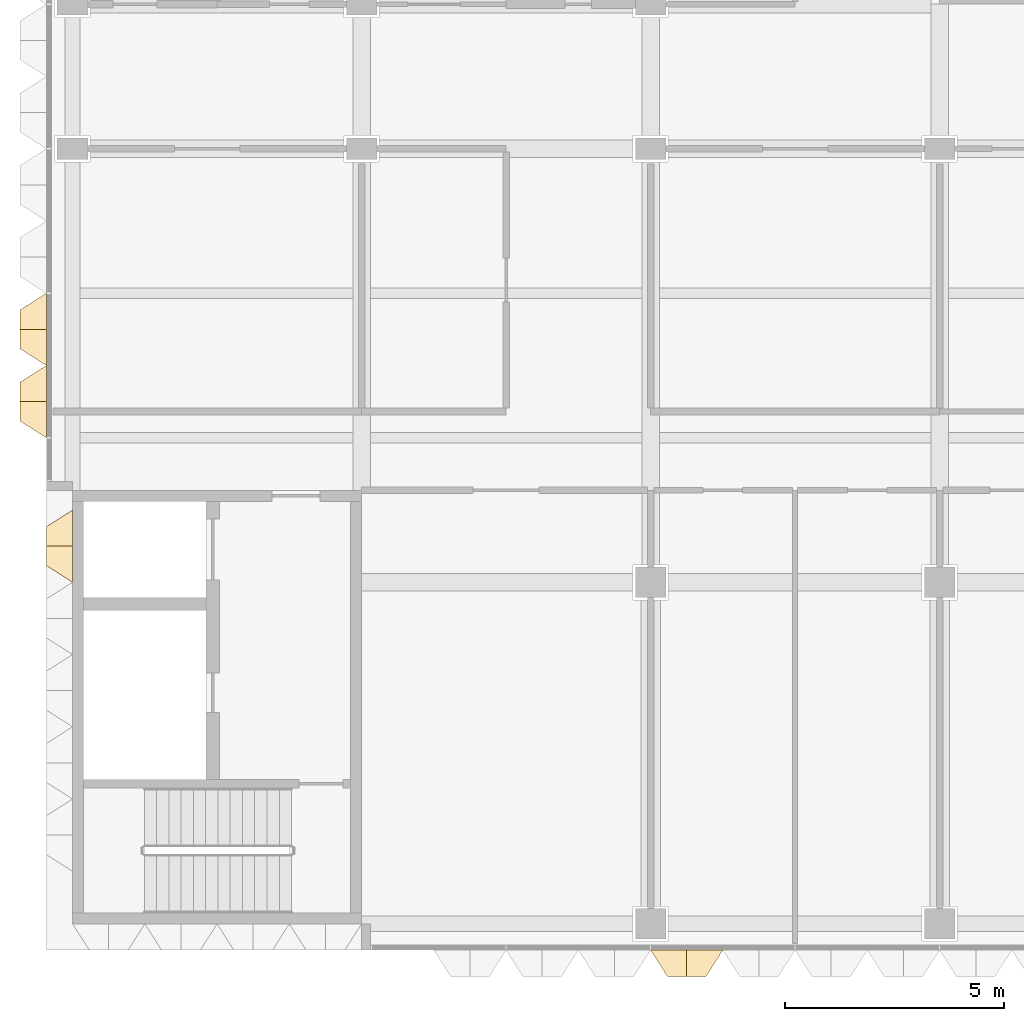
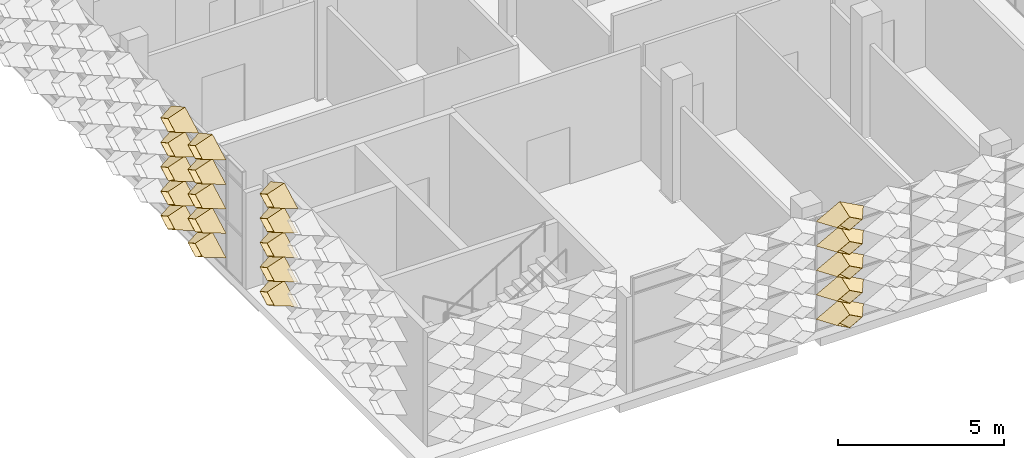
# One storey, part 15 of 29: 20 coverings.
"""IFC4 building model written with IfcOpenShell, lengths in metres."""

from ifc_helpers import new_model, entity, si_unit, direction, frame, origin, place, context, subcontext, project, spatial, material, layer, layer_set, type_object, element, save


model = new_model("IFC4")

# Units and contexts
model_context = context("Model", 3, precision=1e-05, world=origin(), true_north=direction((0.0, 1.0)))
body_context = subcontext(model_context, "Body", "Model", "MODEL_VIEW")
ifc_project = project(units=[si_unit("LENGTHUNIT", "METRE"), si_unit("AREAUNIT", "SQUARE_METRE"), si_unit("VOLUMEUNIT", "CUBIC_METRE"), si_unit("PLANEANGLEUNIT", "RADIAN"), si_unit("MASSUNIT", "GRAM", prefix="KILO")], contexts=[model_context])

# Site, building, storey
site_placement = place(None, origin())
site = spatial("IfcSite", under=ifc_project, at=site_placement, CompositionType="ELEMENT")
building_placement = place(site_placement, origin())
building = spatial("IfcBuilding", under=site, at=building_placement, Name="Lantern Court Research Institute", CompositionType="ELEMENT")
storey_placement = place(building_placement, frame((0.0, 0.0, 32.39990234375)))
storey = spatial("IfcBuildingStorey", under=building, at=storey_placement, Name="L07", CompositionType="ELEMENT", Elevation=32.39990234375)

# Coverings
ifc_material = material(Name="Anodised aluminium", Category="aluminium")
ifc_layer = layer(ifc_material, 0.01611328125)
ifc_layer_set = layer_set([ifc_layer], Name="Anodised aluminium")
covering_type = type_object("IfcCoveringType", Name="Fin cassette 1650 x 900 x 600 aluminium", PredefinedType="CLADDING", material=ifc_layer_set)
covering_1_placement = place(storey_placement, frame((66.824951171875, -8.39990234375, 0.4501953125), z_axis=(0.0, -1.0, 0.0), x_axis=(1.0, 0.0, 0.0)))
cartesian_point_1 = entity("IfcCartesianPoint", [0.824951171875, 0.0])
cartesian_point_2 = entity("IfcCartesianPoint", [0.79150390625, 0.0])
cartesian_point_3 = entity("IfcCartesianPoint", [0.44189453125, 0.0])
cartesian_point_4 = entity("IfcCartesianPoint", [0.43359375, 0.0])
element("IfcCovering", 1, at=covering_1_placement, inside=storey, type_object=covering_type, Name="Fin cassette V5S-L07 1.41", PredefinedType="CLADDING", context=body_context, shape_type="SweptSolid", body=[
    entity("IfcExtrudedAreaSolidTapered", entity("IfcArbitraryProfileDefWithVoids", "AREA", None, entity("IfcPolyline", [cartesian_point_1, entity("IfcCartesianPoint", [0.0, 0.449951171875]), entity("IfcCartesianPoint", [-0.824951171875, 0.0]), entity("IfcCartesianPoint", [0.0, -0.449951171875]), cartesian_point_1]), [entity("IfcPolyline", [cartesian_point_2, entity("IfcCartesianPoint", [0.0, 0.431884765625]), entity("IfcCartesianPoint", [-0.79150390625, 0.0]), entity("IfcCartesianPoint", [0.0, -0.431884765625]), cartesian_point_2])]), entity("IfcAxis2Placement3D", entity("IfcCartesianPoint", [0.0, 0.0, 0.0])), entity("IfcDirection", [0.0, 0.0, 1.0]), 0.60009765625, entity("IfcArbitraryProfileDefWithVoids", "AREA", None, entity("IfcPolyline", [cartesian_point_3, entity("IfcCartesianPoint", [0.0, 0.240966796875]), entity("IfcCartesianPoint", [-0.44189453125, 0.0]), entity("IfcCartesianPoint", [0.0, -0.240966796875]), cartesian_point_3]), [entity("IfcPolyline", [cartesian_point_4, entity("IfcCartesianPoint", [0.0, 0.236572265625]), entity("IfcCartesianPoint", [-0.43359375, 0.0]), entity("IfcCartesianPoint", [0.0, -0.236572265625]), cartesian_point_4])])),
])
covering_2_placement = place(storey_placement, frame((66.824951171875, -8.39990234375, 1.35009765625), z_axis=(0.0, -1.0, 0.0), x_axis=(1.0, 0.0, 0.0)))
cartesian_point_5 = entity("IfcCartesianPoint", [0.824951171875, 0.0])
cartesian_point_6 = entity("IfcCartesianPoint", [0.79150390625, 0.0])
cartesian_point_7 = entity("IfcCartesianPoint", [0.44189453125, 0.0])
cartesian_point_8 = entity("IfcCartesianPoint", [0.43359375, 0.0])
element("IfcCovering", 2, at=covering_2_placement, inside=storey, type_object=covering_type, Name="Fin cassette V5S-L07 2.41", PredefinedType="CLADDING", context=body_context, shape_type="SweptSolid", body=[
    entity("IfcExtrudedAreaSolidTapered", entity("IfcArbitraryProfileDefWithVoids", "AREA", None, entity("IfcPolyline", [cartesian_point_5, entity("IfcCartesianPoint", [0.0, 0.449951171875]), entity("IfcCartesianPoint", [-0.824951171875, 0.0]), entity("IfcCartesianPoint", [0.0, -0.449951171875]), cartesian_point_5]), [entity("IfcPolyline", [cartesian_point_6, entity("IfcCartesianPoint", [0.0, 0.431884765625]), entity("IfcCartesianPoint", [-0.79150390625, 0.0]), entity("IfcCartesianPoint", [0.0, -0.431884765625]), cartesian_point_6])]), entity("IfcAxis2Placement3D", entity("IfcCartesianPoint", [0.0, 0.0, 0.0])), entity("IfcDirection", [0.0, 0.0, 1.0]), 0.60009765625, entity("IfcArbitraryProfileDefWithVoids", "AREA", None, entity("IfcPolyline", [cartesian_point_7, entity("IfcCartesianPoint", [0.0, 0.240966796875]), entity("IfcCartesianPoint", [-0.44189453125, 0.0]), entity("IfcCartesianPoint", [0.0, -0.240966796875]), cartesian_point_7]), [entity("IfcPolyline", [cartesian_point_8, entity("IfcCartesianPoint", [0.0, 0.236572265625]), entity("IfcCartesianPoint", [-0.43359375, 0.0]), entity("IfcCartesianPoint", [0.0, -0.236572265625]), cartesian_point_8])])),
])
covering_3_placement = place(storey_placement, frame((66.824951171875, -8.39990234375, 2.25), z_axis=(0.0, -1.0, 0.0), x_axis=(1.0, 0.0, 0.0)))
cartesian_point_9 = entity("IfcCartesianPoint", [0.824951171875, 0.0])
cartesian_point_10 = entity("IfcCartesianPoint", [0.79150390625, 0.0])
cartesian_point_11 = entity("IfcCartesianPoint", [0.44189453125, 0.0])
cartesian_point_12 = entity("IfcCartesianPoint", [0.43359375, 0.0])
element("IfcCovering", 3, at=covering_3_placement, inside=storey, type_object=covering_type, Name="Fin cassette V5S-L07 3.41", PredefinedType="CLADDING", context=body_context, shape_type="SweptSolid", body=[
    entity("IfcExtrudedAreaSolidTapered", entity("IfcArbitraryProfileDefWithVoids", "AREA", None, entity("IfcPolyline", [cartesian_point_9, entity("IfcCartesianPoint", [0.0, 0.449951171875]), entity("IfcCartesianPoint", [-0.824951171875, 0.0]), entity("IfcCartesianPoint", [0.0, -0.449951171875]), cartesian_point_9]), [entity("IfcPolyline", [cartesian_point_10, entity("IfcCartesianPoint", [0.0, 0.431884765625]), entity("IfcCartesianPoint", [-0.79150390625, 0.0]), entity("IfcCartesianPoint", [0.0, -0.431884765625]), cartesian_point_10])]), entity("IfcAxis2Placement3D", entity("IfcCartesianPoint", [0.0, 0.0, 0.0])), entity("IfcDirection", [0.0, 0.0, 1.0]), 0.60009765625, entity("IfcArbitraryProfileDefWithVoids", "AREA", None, entity("IfcPolyline", [cartesian_point_11, entity("IfcCartesianPoint", [0.0, 0.240966796875]), entity("IfcCartesianPoint", [-0.44189453125, 0.0]), entity("IfcCartesianPoint", [0.0, -0.240966796875]), cartesian_point_11]), [entity("IfcPolyline", [cartesian_point_12, entity("IfcCartesianPoint", [0.0, 0.236572265625]), entity("IfcCartesianPoint", [-0.43359375, 0.0]), entity("IfcCartesianPoint", [0.0, -0.236572265625]), cartesian_point_12])])),
])
covering_4_placement = place(storey_placement, frame((66.824951171875, -8.39990234375, 3.150146484375), z_axis=(0.0, -1.0, 0.0), x_axis=(1.0, 0.0, 0.0)))
cartesian_point_13 = entity("IfcCartesianPoint", [0.824951171875, 0.0])
cartesian_point_14 = entity("IfcCartesianPoint", [0.79150390625, 0.0])
cartesian_point_15 = entity("IfcCartesianPoint", [0.44189453125, 0.0])
cartesian_point_16 = entity("IfcCartesianPoint", [0.43359375, 0.0])
element("IfcCovering", 4, at=covering_4_placement, inside=storey, type_object=covering_type, Name="Fin cassette V5S-L07 4.41", PredefinedType="CLADDING", context=body_context, shape_type="SweptSolid", body=[
    entity("IfcExtrudedAreaSolidTapered", entity("IfcArbitraryProfileDefWithVoids", "AREA", None, entity("IfcPolyline", [cartesian_point_13, entity("IfcCartesianPoint", [0.0, 0.449951171875]), entity("IfcCartesianPoint", [-0.824951171875, 0.0]), entity("IfcCartesianPoint", [0.0, -0.449951171875]), cartesian_point_13]), [entity("IfcPolyline", [cartesian_point_14, entity("IfcCartesianPoint", [0.0, 0.431884765625]), entity("IfcCartesianPoint", [-0.79150390625, 0.0]), entity("IfcCartesianPoint", [0.0, -0.431884765625]), cartesian_point_14])]), entity("IfcAxis2Placement3D", entity("IfcCartesianPoint", [0.0, 0.0, 0.0])), entity("IfcDirection", [0.0, 0.0, 1.0]), 0.60009765625, entity("IfcArbitraryProfileDefWithVoids", "AREA", None, entity("IfcPolyline", [cartesian_point_15, entity("IfcCartesianPoint", [0.0, 0.240966796875]), entity("IfcCartesianPoint", [-0.44189453125, 0.0]), entity("IfcCartesianPoint", [0.0, -0.240966796875]), cartesian_point_15]), [entity("IfcPolyline", [cartesian_point_16, entity("IfcCartesianPoint", [0.0, 0.236572265625]), entity("IfcCartesianPoint", [-0.43359375, 0.0]), entity("IfcCartesianPoint", [0.0, -0.236572265625]), cartesian_point_16])])),
])
covering_5_placement = place(storey_placement, frame((66.824951171875, -8.39990234375, 4.050048828125), z_axis=(0.0, -1.0, 0.0), x_axis=(1.0, 0.0, 0.0)))
cartesian_point_17 = entity("IfcCartesianPoint", [0.824951171875, 0.0])
cartesian_point_18 = entity("IfcCartesianPoint", [0.79150390625, 0.0])
cartesian_point_19 = entity("IfcCartesianPoint", [0.44189453125, 0.0])
cartesian_point_20 = entity("IfcCartesianPoint", [0.43359375, 0.0])
element("IfcCovering", 5, at=covering_5_placement, inside=storey, type_object=covering_type, Name="Fin cassette V5S-L07 5.41", PredefinedType="CLADDING", context=body_context, shape_type="SweptSolid", body=[
    entity("IfcExtrudedAreaSolidTapered", entity("IfcArbitraryProfileDefWithVoids", "AREA", None, entity("IfcPolyline", [cartesian_point_17, entity("IfcCartesianPoint", [0.0, 0.449951171875]), entity("IfcCartesianPoint", [-0.824951171875, 0.0]), entity("IfcCartesianPoint", [0.0, -0.449951171875]), cartesian_point_17]), [entity("IfcPolyline", [cartesian_point_18, entity("IfcCartesianPoint", [0.0, 0.431884765625]), entity("IfcCartesianPoint", [-0.79150390625, 0.0]), entity("IfcCartesianPoint", [0.0, -0.431884765625]), cartesian_point_18])]), entity("IfcAxis2Placement3D", entity("IfcCartesianPoint", [0.0, 0.0, 0.0])), entity("IfcDirection", [0.0, 0.0, 1.0]), 0.60009765625, entity("IfcArbitraryProfileDefWithVoids", "AREA", None, entity("IfcPolyline", [cartesian_point_19, entity("IfcCartesianPoint", [0.0, 0.240966796875]), entity("IfcCartesianPoint", [-0.44189453125, 0.0]), entity("IfcCartesianPoint", [0.0, -0.240966796875]), cartesian_point_19]), [entity("IfcPolyline", [cartesian_point_20, entity("IfcCartesianPoint", [0.0, 0.236572265625]), entity("IfcCartesianPoint", [-0.43359375, 0.0]), entity("IfcCartesianPoint", [0.0, -0.236572265625]), cartesian_point_20])])),
])
covering_6_placement = place(storey_placement, frame((52.800048828125, 0.824951171875, 0.4501953125), z_axis=(-1.0, 0.0, 0.0), x_axis=(0.0, -1.0, 0.0)))
cartesian_point_21 = entity("IfcCartesianPoint", [0.824951171875, 0.0])
cartesian_point_22 = entity("IfcCartesianPoint", [0.79150390625, 0.0])
cartesian_point_23 = entity("IfcCartesianPoint", [0.44189453125, 0.0])
cartesian_point_24 = entity("IfcCartesianPoint", [0.43359375, 0.0])
element("IfcCovering", 6, at=covering_6_placement, inside=storey, type_object=covering_type, Name="Fin cassette V5W-L07 1.1", PredefinedType="CLADDING", context=body_context, shape_type="SweptSolid", body=[
    entity("IfcExtrudedAreaSolidTapered", entity("IfcArbitraryProfileDefWithVoids", "AREA", None, entity("IfcPolyline", [cartesian_point_21, entity("IfcCartesianPoint", [0.0, 0.449951171875]), entity("IfcCartesianPoint", [-0.824951171875, 0.0]), entity("IfcCartesianPoint", [0.0, -0.449951171875]), cartesian_point_21]), [entity("IfcPolyline", [cartesian_point_22, entity("IfcCartesianPoint", [0.0, 0.431884765625]), entity("IfcCartesianPoint", [-0.79150390625, 0.0]), entity("IfcCartesianPoint", [0.0, -0.431884765625]), cartesian_point_22])]), entity("IfcAxis2Placement3D", entity("IfcCartesianPoint", [0.0, 0.0, 0.0])), entity("IfcDirection", [0.0, 0.0, 1.0]), 0.60009765625, entity("IfcArbitraryProfileDefWithVoids", "AREA", None, entity("IfcPolyline", [cartesian_point_23, entity("IfcCartesianPoint", [0.0, 0.240966796875]), entity("IfcCartesianPoint", [-0.44189453125, 0.0]), entity("IfcCartesianPoint", [0.0, -0.240966796875]), cartesian_point_23]), [entity("IfcPolyline", [cartesian_point_24, entity("IfcCartesianPoint", [0.0, 0.236572265625]), entity("IfcCartesianPoint", [-0.43359375, 0.0]), entity("IfcCartesianPoint", [0.0, -0.236572265625]), cartesian_point_24])])),
])
covering_7_placement = place(storey_placement, frame((52.800048828125, 0.824951171875, 1.35009765625), z_axis=(-1.0, 0.0, 0.0), x_axis=(0.0, -1.0, 0.0)))
cartesian_point_25 = entity("IfcCartesianPoint", [0.824951171875, 0.0])
cartesian_point_26 = entity("IfcCartesianPoint", [0.79150390625, 0.0])
cartesian_point_27 = entity("IfcCartesianPoint", [0.44189453125, 0.0])
cartesian_point_28 = entity("IfcCartesianPoint", [0.43359375, 0.0])
element("IfcCovering", 7, at=covering_7_placement, inside=storey, type_object=covering_type, Name="Fin cassette V5W-L07 2.1", PredefinedType="CLADDING", context=body_context, shape_type="SweptSolid", body=[
    entity("IfcExtrudedAreaSolidTapered", entity("IfcArbitraryProfileDefWithVoids", "AREA", None, entity("IfcPolyline", [cartesian_point_25, entity("IfcCartesianPoint", [0.0, 0.449951171875]), entity("IfcCartesianPoint", [-0.824951171875, 0.0]), entity("IfcCartesianPoint", [0.0, -0.449951171875]), cartesian_point_25]), [entity("IfcPolyline", [cartesian_point_26, entity("IfcCartesianPoint", [0.0, 0.431884765625]), entity("IfcCartesianPoint", [-0.79150390625, 0.0]), entity("IfcCartesianPoint", [0.0, -0.431884765625]), cartesian_point_26])]), entity("IfcAxis2Placement3D", entity("IfcCartesianPoint", [0.0, 0.0, 0.0])), entity("IfcDirection", [0.0, 0.0, 1.0]), 0.60009765625, entity("IfcArbitraryProfileDefWithVoids", "AREA", None, entity("IfcPolyline", [cartesian_point_27, entity("IfcCartesianPoint", [0.0, 0.240966796875]), entity("IfcCartesianPoint", [-0.44189453125, 0.0]), entity("IfcCartesianPoint", [0.0, -0.240966796875]), cartesian_point_27]), [entity("IfcPolyline", [cartesian_point_28, entity("IfcCartesianPoint", [0.0, 0.236572265625]), entity("IfcCartesianPoint", [-0.43359375, 0.0]), entity("IfcCartesianPoint", [0.0, -0.236572265625]), cartesian_point_28])])),
])
covering_8_placement = place(storey_placement, frame((52.800048828125, 0.824951171875, 2.25), z_axis=(-1.0, 0.0, 0.0), x_axis=(0.0, -1.0, 0.0)))
cartesian_point_29 = entity("IfcCartesianPoint", [0.824951171875, 0.0])
cartesian_point_30 = entity("IfcCartesianPoint", [0.79150390625, 0.0])
cartesian_point_31 = entity("IfcCartesianPoint", [0.44189453125, 0.0])
cartesian_point_32 = entity("IfcCartesianPoint", [0.43359375, 0.0])
element("IfcCovering", 8, at=covering_8_placement, inside=storey, type_object=covering_type, Name="Fin cassette V5W-L07 3.1", PredefinedType="CLADDING", context=body_context, shape_type="SweptSolid", body=[
    entity("IfcExtrudedAreaSolidTapered", entity("IfcArbitraryProfileDefWithVoids", "AREA", None, entity("IfcPolyline", [cartesian_point_29, entity("IfcCartesianPoint", [0.0, 0.449951171875]), entity("IfcCartesianPoint", [-0.824951171875, 0.0]), entity("IfcCartesianPoint", [0.0, -0.449951171875]), cartesian_point_29]), [entity("IfcPolyline", [cartesian_point_30, entity("IfcCartesianPoint", [0.0, 0.431884765625]), entity("IfcCartesianPoint", [-0.79150390625, 0.0]), entity("IfcCartesianPoint", [0.0, -0.431884765625]), cartesian_point_30])]), entity("IfcAxis2Placement3D", entity("IfcCartesianPoint", [0.0, 0.0, 0.0])), entity("IfcDirection", [0.0, 0.0, 1.0]), 0.60009765625, entity("IfcArbitraryProfileDefWithVoids", "AREA", None, entity("IfcPolyline", [cartesian_point_31, entity("IfcCartesianPoint", [0.0, 0.240966796875]), entity("IfcCartesianPoint", [-0.44189453125, 0.0]), entity("IfcCartesianPoint", [0.0, -0.240966796875]), cartesian_point_31]), [entity("IfcPolyline", [cartesian_point_32, entity("IfcCartesianPoint", [0.0, 0.236572265625]), entity("IfcCartesianPoint", [-0.43359375, 0.0]), entity("IfcCartesianPoint", [0.0, -0.236572265625]), cartesian_point_32])])),
])
covering_9_placement = place(storey_placement, frame((52.800048828125, 0.824951171875, 3.150146484375), z_axis=(-1.0, 0.0, 0.0), x_axis=(0.0, -1.0, 0.0)))
cartesian_point_33 = entity("IfcCartesianPoint", [0.824951171875, 0.0])
cartesian_point_34 = entity("IfcCartesianPoint", [0.79150390625, 0.0])
cartesian_point_35 = entity("IfcCartesianPoint", [0.44189453125, 0.0])
cartesian_point_36 = entity("IfcCartesianPoint", [0.43359375, 0.0])
element("IfcCovering", 9, at=covering_9_placement, inside=storey, type_object=covering_type, Name="Fin cassette V5W-L07 4.1", PredefinedType="CLADDING", context=body_context, shape_type="SweptSolid", body=[
    entity("IfcExtrudedAreaSolidTapered", entity("IfcArbitraryProfileDefWithVoids", "AREA", None, entity("IfcPolyline", [cartesian_point_33, entity("IfcCartesianPoint", [0.0, 0.449951171875]), entity("IfcCartesianPoint", [-0.824951171875, 0.0]), entity("IfcCartesianPoint", [0.0, -0.449951171875]), cartesian_point_33]), [entity("IfcPolyline", [cartesian_point_34, entity("IfcCartesianPoint", [0.0, 0.431884765625]), entity("IfcCartesianPoint", [-0.79150390625, 0.0]), entity("IfcCartesianPoint", [0.0, -0.431884765625]), cartesian_point_34])]), entity("IfcAxis2Placement3D", entity("IfcCartesianPoint", [0.0, 0.0, 0.0])), entity("IfcDirection", [0.0, 0.0, 1.0]), 0.60009765625, entity("IfcArbitraryProfileDefWithVoids", "AREA", None, entity("IfcPolyline", [cartesian_point_35, entity("IfcCartesianPoint", [0.0, 0.240966796875]), entity("IfcCartesianPoint", [-0.44189453125, 0.0]), entity("IfcCartesianPoint", [0.0, -0.240966796875]), cartesian_point_35]), [entity("IfcPolyline", [cartesian_point_36, entity("IfcCartesianPoint", [0.0, 0.236572265625]), entity("IfcCartesianPoint", [-0.43359375, 0.0]), entity("IfcCartesianPoint", [0.0, -0.236572265625]), cartesian_point_36])])),
])
covering_10_placement = place(storey_placement, frame((52.800048828125, 0.824951171875, 4.050048828125), z_axis=(-1.0, 0.0, 0.0), x_axis=(0.0, -1.0, 0.0)))
cartesian_point_37 = entity("IfcCartesianPoint", [0.824951171875, 0.0])
cartesian_point_38 = entity("IfcCartesianPoint", [0.79150390625, 0.0])
cartesian_point_39 = entity("IfcCartesianPoint", [0.44189453125, 0.0])
cartesian_point_40 = entity("IfcCartesianPoint", [0.43359375, 0.0])
element("IfcCovering", 10, at=covering_10_placement, inside=storey, type_object=covering_type, Name="Fin cassette V5W-L07 5.1", PredefinedType="CLADDING", context=body_context, shape_type="SweptSolid", body=[
    entity("IfcExtrudedAreaSolidTapered", entity("IfcArbitraryProfileDefWithVoids", "AREA", None, entity("IfcPolyline", [cartesian_point_37, entity("IfcCartesianPoint", [0.0, 0.449951171875]), entity("IfcCartesianPoint", [-0.824951171875, 0.0]), entity("IfcCartesianPoint", [0.0, -0.449951171875]), cartesian_point_37]), [entity("IfcPolyline", [cartesian_point_38, entity("IfcCartesianPoint", [0.0, 0.431884765625]), entity("IfcCartesianPoint", [-0.79150390625, 0.0]), entity("IfcCartesianPoint", [0.0, -0.431884765625]), cartesian_point_38])]), entity("IfcAxis2Placement3D", entity("IfcCartesianPoint", [0.0, 0.0, 0.0])), entity("IfcDirection", [0.0, 0.0, 1.0]), 0.60009765625, entity("IfcArbitraryProfileDefWithVoids", "AREA", None, entity("IfcPolyline", [cartesian_point_39, entity("IfcCartesianPoint", [0.0, 0.240966796875]), entity("IfcCartesianPoint", [-0.44189453125, 0.0]), entity("IfcCartesianPoint", [0.0, -0.240966796875]), cartesian_point_39]), [entity("IfcPolyline", [cartesian_point_40, entity("IfcCartesianPoint", [0.0, 0.236572265625]), entity("IfcCartesianPoint", [-0.43359375, 0.0]), entity("IfcCartesianPoint", [0.0, -0.236572265625]), cartesian_point_40])])),
])
covering_11_placement = place(storey_placement, frame((52.199951171875, 4.125, 0.4501953125), z_axis=(-1.0, 0.0, 0.0), x_axis=(0.0, -1.0, 0.0)))
cartesian_point_41 = entity("IfcCartesianPoint", [0.824951171875, 0.0])
cartesian_point_42 = entity("IfcCartesianPoint", [0.79150390625, 0.0])
cartesian_point_43 = entity("IfcCartesianPoint", [0.44189453125, 0.0])
cartesian_point_44 = entity("IfcCartesianPoint", [0.43359375, 0.0])
element("IfcCovering", 11, at=covering_11_placement, inside=storey, type_object=covering_type, Name="Fin cassette V5W-L07 1.3", PredefinedType="CLADDING", context=body_context, shape_type="SweptSolid", body=[
    entity("IfcExtrudedAreaSolidTapered", entity("IfcArbitraryProfileDefWithVoids", "AREA", None, entity("IfcPolyline", [cartesian_point_41, entity("IfcCartesianPoint", [0.0, 0.449951171875]), entity("IfcCartesianPoint", [-0.824951171875, 0.0]), entity("IfcCartesianPoint", [0.0, -0.449951171875]), cartesian_point_41]), [entity("IfcPolyline", [cartesian_point_42, entity("IfcCartesianPoint", [0.0, 0.431884765625]), entity("IfcCartesianPoint", [-0.79150390625, 0.0]), entity("IfcCartesianPoint", [0.0, -0.431884765625]), cartesian_point_42])]), entity("IfcAxis2Placement3D", entity("IfcCartesianPoint", [0.0, 0.0, 0.0])), entity("IfcDirection", [0.0, 0.0, 1.0]), 0.60009765625, entity("IfcArbitraryProfileDefWithVoids", "AREA", None, entity("IfcPolyline", [cartesian_point_43, entity("IfcCartesianPoint", [0.0, 0.240966796875]), entity("IfcCartesianPoint", [-0.44189453125, 0.0]), entity("IfcCartesianPoint", [0.0, -0.240966796875]), cartesian_point_43]), [entity("IfcPolyline", [cartesian_point_44, entity("IfcCartesianPoint", [0.0, 0.236572265625]), entity("IfcCartesianPoint", [-0.43359375, 0.0]), entity("IfcCartesianPoint", [0.0, -0.236572265625]), cartesian_point_44])])),
])
covering_12_placement = place(storey_placement, frame((52.199951171875, 5.77490234375, 0.4501953125), z_axis=(-1.0, 0.0, 0.0), x_axis=(0.0, -1.0, 0.0)))
cartesian_point_45 = entity("IfcCartesianPoint", [0.824951171875, 0.0])
cartesian_point_46 = entity("IfcCartesianPoint", [0.79150390625, 0.0])
cartesian_point_47 = entity("IfcCartesianPoint", [0.44189453125, 0.0])
cartesian_point_48 = entity("IfcCartesianPoint", [0.43359375, 0.0])
element("IfcCovering", 12, at=covering_12_placement, inside=storey, type_object=covering_type, Name="Fin cassette V5W-L07 1.4", PredefinedType="CLADDING", context=body_context, shape_type="SweptSolid", body=[
    entity("IfcExtrudedAreaSolidTapered", entity("IfcArbitraryProfileDefWithVoids", "AREA", None, entity("IfcPolyline", [cartesian_point_45, entity("IfcCartesianPoint", [0.0, 0.449951171875]), entity("IfcCartesianPoint", [-0.824951171875, 0.0]), entity("IfcCartesianPoint", [0.0, -0.449951171875]), cartesian_point_45]), [entity("IfcPolyline", [cartesian_point_46, entity("IfcCartesianPoint", [0.0, 0.431884765625]), entity("IfcCartesianPoint", [-0.79150390625, 0.0]), entity("IfcCartesianPoint", [0.0, -0.431884765625]), cartesian_point_46])]), entity("IfcAxis2Placement3D", entity("IfcCartesianPoint", [0.0, 0.0, 0.0])), entity("IfcDirection", [0.0, 0.0, 1.0]), 0.60009765625, entity("IfcArbitraryProfileDefWithVoids", "AREA", None, entity("IfcPolyline", [cartesian_point_47, entity("IfcCartesianPoint", [0.0, 0.240966796875]), entity("IfcCartesianPoint", [-0.44189453125, 0.0]), entity("IfcCartesianPoint", [0.0, -0.240966796875]), cartesian_point_47]), [entity("IfcPolyline", [cartesian_point_48, entity("IfcCartesianPoint", [0.0, 0.236572265625]), entity("IfcCartesianPoint", [-0.43359375, 0.0]), entity("IfcCartesianPoint", [0.0, -0.236572265625]), cartesian_point_48])])),
])
covering_13_placement = place(storey_placement, frame((52.199951171875, 4.125, 1.35009765625), z_axis=(-1.0, 0.0, 0.0), x_axis=(0.0, -1.0, 0.0)))
cartesian_point_49 = entity("IfcCartesianPoint", [0.824951171875, 0.0])
cartesian_point_50 = entity("IfcCartesianPoint", [0.79150390625, 0.0])
cartesian_point_51 = entity("IfcCartesianPoint", [0.44189453125, 0.0])
cartesian_point_52 = entity("IfcCartesianPoint", [0.43359375, 0.0])
element("IfcCovering", 13, at=covering_13_placement, inside=storey, type_object=covering_type, Name="Fin cassette V5W-L07 2.3", PredefinedType="CLADDING", context=body_context, shape_type="SweptSolid", body=[
    entity("IfcExtrudedAreaSolidTapered", entity("IfcArbitraryProfileDefWithVoids", "AREA", None, entity("IfcPolyline", [cartesian_point_49, entity("IfcCartesianPoint", [0.0, 0.449951171875]), entity("IfcCartesianPoint", [-0.824951171875, 0.0]), entity("IfcCartesianPoint", [0.0, -0.449951171875]), cartesian_point_49]), [entity("IfcPolyline", [cartesian_point_50, entity("IfcCartesianPoint", [0.0, 0.431884765625]), entity("IfcCartesianPoint", [-0.79150390625, 0.0]), entity("IfcCartesianPoint", [0.0, -0.431884765625]), cartesian_point_50])]), entity("IfcAxis2Placement3D", entity("IfcCartesianPoint", [0.0, 0.0, 0.0])), entity("IfcDirection", [0.0, 0.0, 1.0]), 0.60009765625, entity("IfcArbitraryProfileDefWithVoids", "AREA", None, entity("IfcPolyline", [cartesian_point_51, entity("IfcCartesianPoint", [0.0, 0.240966796875]), entity("IfcCartesianPoint", [-0.44189453125, 0.0]), entity("IfcCartesianPoint", [0.0, -0.240966796875]), cartesian_point_51]), [entity("IfcPolyline", [cartesian_point_52, entity("IfcCartesianPoint", [0.0, 0.236572265625]), entity("IfcCartesianPoint", [-0.43359375, 0.0]), entity("IfcCartesianPoint", [0.0, -0.236572265625]), cartesian_point_52])])),
])
covering_14_placement = place(storey_placement, frame((52.199951171875, 5.77490234375, 1.35009765625), z_axis=(-1.0, 0.0, 0.0), x_axis=(0.0, -1.0, 0.0)))
cartesian_point_53 = entity("IfcCartesianPoint", [0.824951171875, 0.0])
cartesian_point_54 = entity("IfcCartesianPoint", [0.79150390625, 0.0])
cartesian_point_55 = entity("IfcCartesianPoint", [0.44189453125, 0.0])
cartesian_point_56 = entity("IfcCartesianPoint", [0.43359375, 0.0])
element("IfcCovering", 14, at=covering_14_placement, inside=storey, type_object=covering_type, Name="Fin cassette V5W-L07 2.4", PredefinedType="CLADDING", context=body_context, shape_type="SweptSolid", body=[
    entity("IfcExtrudedAreaSolidTapered", entity("IfcArbitraryProfileDefWithVoids", "AREA", None, entity("IfcPolyline", [cartesian_point_53, entity("IfcCartesianPoint", [0.0, 0.449951171875]), entity("IfcCartesianPoint", [-0.824951171875, 0.0]), entity("IfcCartesianPoint", [0.0, -0.449951171875]), cartesian_point_53]), [entity("IfcPolyline", [cartesian_point_54, entity("IfcCartesianPoint", [0.0, 0.431884765625]), entity("IfcCartesianPoint", [-0.79150390625, 0.0]), entity("IfcCartesianPoint", [0.0, -0.431884765625]), cartesian_point_54])]), entity("IfcAxis2Placement3D", entity("IfcCartesianPoint", [0.0, 0.0, 0.0])), entity("IfcDirection", [0.0, 0.0, 1.0]), 0.60009765625, entity("IfcArbitraryProfileDefWithVoids", "AREA", None, entity("IfcPolyline", [cartesian_point_55, entity("IfcCartesianPoint", [0.0, 0.240966796875]), entity("IfcCartesianPoint", [-0.44189453125, 0.0]), entity("IfcCartesianPoint", [0.0, -0.240966796875]), cartesian_point_55]), [entity("IfcPolyline", [cartesian_point_56, entity("IfcCartesianPoint", [0.0, 0.236572265625]), entity("IfcCartesianPoint", [-0.43359375, 0.0]), entity("IfcCartesianPoint", [0.0, -0.236572265625]), cartesian_point_56])])),
])
covering_15_placement = place(storey_placement, frame((52.199951171875, 4.125, 2.25), z_axis=(-1.0, 0.0, 0.0), x_axis=(0.0, -1.0, 0.0)))
cartesian_point_57 = entity("IfcCartesianPoint", [0.824951171875, 0.0])
cartesian_point_58 = entity("IfcCartesianPoint", [0.79150390625, 0.0])
cartesian_point_59 = entity("IfcCartesianPoint", [0.44189453125, 0.0])
cartesian_point_60 = entity("IfcCartesianPoint", [0.43359375, 0.0])
element("IfcCovering", 15, at=covering_15_placement, inside=storey, type_object=covering_type, Name="Fin cassette V5W-L07 3.3", PredefinedType="CLADDING", context=body_context, shape_type="SweptSolid", body=[
    entity("IfcExtrudedAreaSolidTapered", entity("IfcArbitraryProfileDefWithVoids", "AREA", None, entity("IfcPolyline", [cartesian_point_57, entity("IfcCartesianPoint", [0.0, 0.449951171875]), entity("IfcCartesianPoint", [-0.824951171875, 0.0]), entity("IfcCartesianPoint", [0.0, -0.449951171875]), cartesian_point_57]), [entity("IfcPolyline", [cartesian_point_58, entity("IfcCartesianPoint", [0.0, 0.431884765625]), entity("IfcCartesianPoint", [-0.79150390625, 0.0]), entity("IfcCartesianPoint", [0.0, -0.431884765625]), cartesian_point_58])]), entity("IfcAxis2Placement3D", entity("IfcCartesianPoint", [0.0, 0.0, 0.0])), entity("IfcDirection", [0.0, 0.0, 1.0]), 0.60009765625, entity("IfcArbitraryProfileDefWithVoids", "AREA", None, entity("IfcPolyline", [cartesian_point_59, entity("IfcCartesianPoint", [0.0, 0.240966796875]), entity("IfcCartesianPoint", [-0.44189453125, 0.0]), entity("IfcCartesianPoint", [0.0, -0.240966796875]), cartesian_point_59]), [entity("IfcPolyline", [cartesian_point_60, entity("IfcCartesianPoint", [0.0, 0.236572265625]), entity("IfcCartesianPoint", [-0.43359375, 0.0]), entity("IfcCartesianPoint", [0.0, -0.236572265625]), cartesian_point_60])])),
])
covering_16_placement = place(storey_placement, frame((52.199951171875, 5.77490234375, 2.25), z_axis=(-1.0, 0.0, 0.0), x_axis=(0.0, -1.0, 0.0)))
cartesian_point_61 = entity("IfcCartesianPoint", [0.824951171875, 0.0])
cartesian_point_62 = entity("IfcCartesianPoint", [0.79150390625, 0.0])
cartesian_point_63 = entity("IfcCartesianPoint", [0.44189453125, 0.0])
cartesian_point_64 = entity("IfcCartesianPoint", [0.43359375, 0.0])
element("IfcCovering", 16, at=covering_16_placement, inside=storey, type_object=covering_type, Name="Fin cassette V5W-L07 3.4", PredefinedType="CLADDING", context=body_context, shape_type="SweptSolid", body=[
    entity("IfcExtrudedAreaSolidTapered", entity("IfcArbitraryProfileDefWithVoids", "AREA", None, entity("IfcPolyline", [cartesian_point_61, entity("IfcCartesianPoint", [0.0, 0.449951171875]), entity("IfcCartesianPoint", [-0.824951171875, 0.0]), entity("IfcCartesianPoint", [0.0, -0.449951171875]), cartesian_point_61]), [entity("IfcPolyline", [cartesian_point_62, entity("IfcCartesianPoint", [0.0, 0.431884765625]), entity("IfcCartesianPoint", [-0.79150390625, 0.0]), entity("IfcCartesianPoint", [0.0, -0.431884765625]), cartesian_point_62])]), entity("IfcAxis2Placement3D", entity("IfcCartesianPoint", [0.0, 0.0, 0.0])), entity("IfcDirection", [0.0, 0.0, 1.0]), 0.60009765625, entity("IfcArbitraryProfileDefWithVoids", "AREA", None, entity("IfcPolyline", [cartesian_point_63, entity("IfcCartesianPoint", [0.0, 0.240966796875]), entity("IfcCartesianPoint", [-0.44189453125, 0.0]), entity("IfcCartesianPoint", [0.0, -0.240966796875]), cartesian_point_63]), [entity("IfcPolyline", [cartesian_point_64, entity("IfcCartesianPoint", [0.0, 0.236572265625]), entity("IfcCartesianPoint", [-0.43359375, 0.0]), entity("IfcCartesianPoint", [0.0, -0.236572265625]), cartesian_point_64])])),
])
covering_17_placement = place(storey_placement, frame((52.199951171875, 4.125, 3.150146484375), z_axis=(-1.0, 0.0, 0.0), x_axis=(0.0, -1.0, 0.0)))
cartesian_point_65 = entity("IfcCartesianPoint", [0.824951171875, 0.0])
cartesian_point_66 = entity("IfcCartesianPoint", [0.79150390625, 0.0])
cartesian_point_67 = entity("IfcCartesianPoint", [0.44189453125, 0.0])
cartesian_point_68 = entity("IfcCartesianPoint", [0.43359375, 0.0])
element("IfcCovering", 17, at=covering_17_placement, inside=storey, type_object=covering_type, Name="Fin cassette V5W-L07 4.3", PredefinedType="CLADDING", context=body_context, shape_type="SweptSolid", body=[
    entity("IfcExtrudedAreaSolidTapered", entity("IfcArbitraryProfileDefWithVoids", "AREA", None, entity("IfcPolyline", [cartesian_point_65, entity("IfcCartesianPoint", [0.0, 0.449951171875]), entity("IfcCartesianPoint", [-0.824951171875, 0.0]), entity("IfcCartesianPoint", [0.0, -0.449951171875]), cartesian_point_65]), [entity("IfcPolyline", [cartesian_point_66, entity("IfcCartesianPoint", [0.0, 0.431884765625]), entity("IfcCartesianPoint", [-0.79150390625, 0.0]), entity("IfcCartesianPoint", [0.0, -0.431884765625]), cartesian_point_66])]), entity("IfcAxis2Placement3D", entity("IfcCartesianPoint", [0.0, 0.0, 0.0])), entity("IfcDirection", [0.0, 0.0, 1.0]), 0.60009765625, entity("IfcArbitraryProfileDefWithVoids", "AREA", None, entity("IfcPolyline", [cartesian_point_67, entity("IfcCartesianPoint", [0.0, 0.240966796875]), entity("IfcCartesianPoint", [-0.44189453125, 0.0]), entity("IfcCartesianPoint", [0.0, -0.240966796875]), cartesian_point_67]), [entity("IfcPolyline", [cartesian_point_68, entity("IfcCartesianPoint", [0.0, 0.236572265625]), entity("IfcCartesianPoint", [-0.43359375, 0.0]), entity("IfcCartesianPoint", [0.0, -0.236572265625]), cartesian_point_68])])),
])
covering_18_placement = place(storey_placement, frame((52.199951171875, 5.77490234375, 3.150146484375), z_axis=(-1.0, 0.0, 0.0), x_axis=(0.0, -1.0, 0.0)))
cartesian_point_69 = entity("IfcCartesianPoint", [0.824951171875, 0.0])
cartesian_point_70 = entity("IfcCartesianPoint", [0.79150390625, 0.0])
cartesian_point_71 = entity("IfcCartesianPoint", [0.44189453125, 0.0])
cartesian_point_72 = entity("IfcCartesianPoint", [0.43359375, 0.0])
element("IfcCovering", 18, at=covering_18_placement, inside=storey, type_object=covering_type, Name="Fin cassette V5W-L07 4.4", PredefinedType="CLADDING", context=body_context, shape_type="SweptSolid", body=[
    entity("IfcExtrudedAreaSolidTapered", entity("IfcArbitraryProfileDefWithVoids", "AREA", None, entity("IfcPolyline", [cartesian_point_69, entity("IfcCartesianPoint", [0.0, 0.449951171875]), entity("IfcCartesianPoint", [-0.824951171875, 0.0]), entity("IfcCartesianPoint", [0.0, -0.449951171875]), cartesian_point_69]), [entity("IfcPolyline", [cartesian_point_70, entity("IfcCartesianPoint", [0.0, 0.431884765625]), entity("IfcCartesianPoint", [-0.79150390625, 0.0]), entity("IfcCartesianPoint", [0.0, -0.431884765625]), cartesian_point_70])]), entity("IfcAxis2Placement3D", entity("IfcCartesianPoint", [0.0, 0.0, 0.0])), entity("IfcDirection", [0.0, 0.0, 1.0]), 0.60009765625, entity("IfcArbitraryProfileDefWithVoids", "AREA", None, entity("IfcPolyline", [cartesian_point_71, entity("IfcCartesianPoint", [0.0, 0.240966796875]), entity("IfcCartesianPoint", [-0.44189453125, 0.0]), entity("IfcCartesianPoint", [0.0, -0.240966796875]), cartesian_point_71]), [entity("IfcPolyline", [cartesian_point_72, entity("IfcCartesianPoint", [0.0, 0.236572265625]), entity("IfcCartesianPoint", [-0.43359375, 0.0]), entity("IfcCartesianPoint", [0.0, -0.236572265625]), cartesian_point_72])])),
])
covering_19_placement = place(storey_placement, frame((52.199951171875, 4.125, 4.050048828125), z_axis=(-1.0, 0.0, 0.0), x_axis=(0.0, -1.0, 0.0)))
cartesian_point_73 = entity("IfcCartesianPoint", [0.824951171875, 0.0])
cartesian_point_74 = entity("IfcCartesianPoint", [0.79150390625, 0.0])
cartesian_point_75 = entity("IfcCartesianPoint", [0.44189453125, 0.0])
cartesian_point_76 = entity("IfcCartesianPoint", [0.43359375, 0.0])
element("IfcCovering", 19, at=covering_19_placement, inside=storey, type_object=covering_type, Name="Fin cassette V5W-L07 5.3", PredefinedType="CLADDING", context=body_context, shape_type="SweptSolid", body=[
    entity("IfcExtrudedAreaSolidTapered", entity("IfcArbitraryProfileDefWithVoids", "AREA", None, entity("IfcPolyline", [cartesian_point_73, entity("IfcCartesianPoint", [0.0, 0.449951171875]), entity("IfcCartesianPoint", [-0.824951171875, 0.0]), entity("IfcCartesianPoint", [0.0, -0.449951171875]), cartesian_point_73]), [entity("IfcPolyline", [cartesian_point_74, entity("IfcCartesianPoint", [0.0, 0.431884765625]), entity("IfcCartesianPoint", [-0.79150390625, 0.0]), entity("IfcCartesianPoint", [0.0, -0.431884765625]), cartesian_point_74])]), entity("IfcAxis2Placement3D", entity("IfcCartesianPoint", [0.0, 0.0, 0.0])), entity("IfcDirection", [0.0, 0.0, 1.0]), 0.60009765625, entity("IfcArbitraryProfileDefWithVoids", "AREA", None, entity("IfcPolyline", [cartesian_point_75, entity("IfcCartesianPoint", [0.0, 0.240966796875]), entity("IfcCartesianPoint", [-0.44189453125, 0.0]), entity("IfcCartesianPoint", [0.0, -0.240966796875]), cartesian_point_75]), [entity("IfcPolyline", [cartesian_point_76, entity("IfcCartesianPoint", [0.0, 0.236572265625]), entity("IfcCartesianPoint", [-0.43359375, 0.0]), entity("IfcCartesianPoint", [0.0, -0.236572265625]), cartesian_point_76])])),
])
covering_20_placement = place(storey_placement, frame((52.199951171875, 5.77490234375, 4.050048828125), z_axis=(-1.0, 0.0, 0.0), x_axis=(0.0, -1.0, 0.0)))
cartesian_point_77 = entity("IfcCartesianPoint", [0.824951171875, 0.0])
cartesian_point_78 = entity("IfcCartesianPoint", [0.79150390625, 0.0])
cartesian_point_79 = entity("IfcCartesianPoint", [0.44189453125, 0.0])
cartesian_point_80 = entity("IfcCartesianPoint", [0.43359375, 0.0])
element("IfcCovering", 20, at=covering_20_placement, inside=storey, type_object=covering_type, Name="Fin cassette V5W-L07 5.4", PredefinedType="CLADDING", context=body_context, shape_type="SweptSolid", body=[
    entity("IfcExtrudedAreaSolidTapered", entity("IfcArbitraryProfileDefWithVoids", "AREA", None, entity("IfcPolyline", [cartesian_point_77, entity("IfcCartesianPoint", [0.0, 0.449951171875]), entity("IfcCartesianPoint", [-0.824951171875, 0.0]), entity("IfcCartesianPoint", [0.0, -0.449951171875]), cartesian_point_77]), [entity("IfcPolyline", [cartesian_point_78, entity("IfcCartesianPoint", [0.0, 0.431884765625]), entity("IfcCartesianPoint", [-0.79150390625, 0.0]), entity("IfcCartesianPoint", [0.0, -0.431884765625]), cartesian_point_78])]), entity("IfcAxis2Placement3D", entity("IfcCartesianPoint", [0.0, 0.0, 0.0])), entity("IfcDirection", [0.0, 0.0, 1.0]), 0.60009765625, entity("IfcArbitraryProfileDefWithVoids", "AREA", None, entity("IfcPolyline", [cartesian_point_79, entity("IfcCartesianPoint", [0.0, 0.240966796875]), entity("IfcCartesianPoint", [-0.44189453125, 0.0]), entity("IfcCartesianPoint", [0.0, -0.240966796875]), cartesian_point_79]), [entity("IfcPolyline", [cartesian_point_80, entity("IfcCartesianPoint", [0.0, 0.236572265625]), entity("IfcCartesianPoint", [-0.43359375, 0.0]), entity("IfcCartesianPoint", [0.0, -0.236572265625]), cartesian_point_80])])),
])

save(model, "model.ifc")
